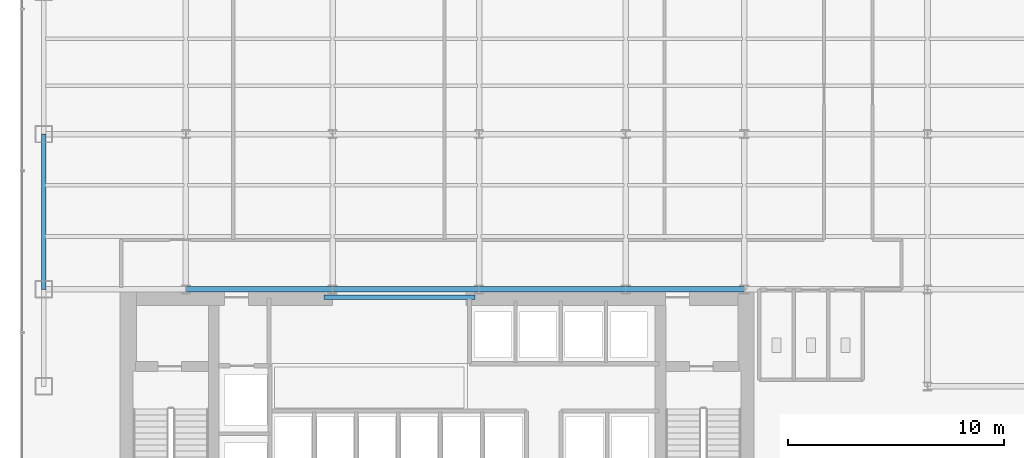
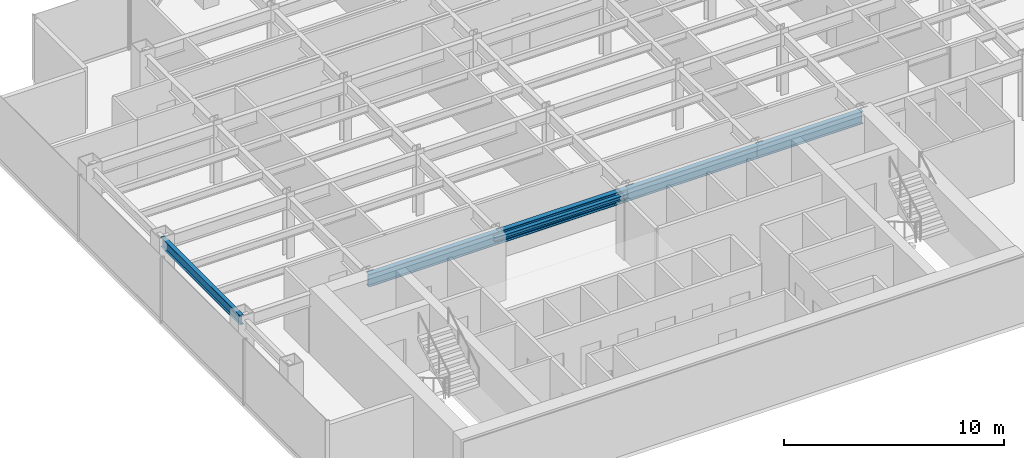
# One storey, part 3 of 26: 6 beams.
"""IFC4 building model written with IfcOpenShell, lengths in metres."""

from ifc_helpers import new_model, si_unit, derived_unit, direction, frame, origin, origin_2d, place, context, subcontext, project, spatial, i_section, extrude, source, transform, mapped, material, material_profile, profile_set, type_object, element, save


model = new_model("IFC4")

# Units and contexts
model_context = context("Model", 3, precision=1e-05, world=origin(), true_north=direction((0.0, 1.0)))
body_context = subcontext(model_context, "Body", "Model", "MODEL_VIEW")
ifc_project = project(units=[si_unit("LENGTHUNIT", "METRE"), si_unit("AREAUNIT", "SQUARE_METRE"), si_unit("VOLUMEUNIT", "CUBIC_METRE"), si_unit("PLANEANGLEUNIT", "RADIAN"), si_unit("MASSUNIT", "GRAM", prefix="KILO"), derived_unit("THERMALTRANSMITTANCEUNIT", [(si_unit("POWERUNIT", "WATT"), 1), (si_unit("LENGTHUNIT", "METRE"), -2), (si_unit("THERMODYNAMICTEMPERATUREUNIT", "KELVIN"), -1)])], contexts=[model_context])

# Site, building, storey
site_placement = place(None, origin())
site = spatial("IfcSite", under=ifc_project, at=site_placement, CompositionType="ELEMENT")
building_placement = place(site_placement, origin())
building = spatial("IfcBuilding", under=site, at=building_placement, Name="Skarnbrae Concourse Arena and Tower", CompositionType="ELEMENT")
storey_placement = place(building_placement, frame((0.0, 0.0, 103.25)))
storey = spatial("IfcBuildingStorey", under=building, at=storey_placement, Name="L25", CompositionType="ELEMENT", Elevation=103.25)

# Beams
ifc_material = material(Name="Steel CSA G40.21 350W", Category="steel")
ifc_material_profile_1 = material_profile(ifc_material, i_section(OverallWidth=0.202880859375, OverallDepth=0.251953125, WebThickness=0.008056640625, FlangeThickness=0.013427734375, at=origin_2d()), Name="W250X58")
ifc_profile_set_1 = profile_set([ifc_material_profile_1], Name="Steel CSA G40.21 350W")
beam_type_1 = type_object("IfcBeamType", Name="BM-LINTEL-W250X58", PredefinedType="LINTEL", material=ifc_profile_set_1)
shared_shape_1 = source(origin(), body_context, "Body", "SweptSolid", [
    extrude(i_section(OverallWidth=0.202880859375, OverallDepth=0.251953125, WebThickness=0.008056640625, FlangeThickness=0.013427734375, at=origin_2d()), origin(), (0.0, 0.0, 1.0), 7.0),
])
beam_1_placement = place(storey_placement, frame((14.0, 13.625, 3.27392578125), z_axis=(1.0, 0.0, 0.0), x_axis=(0.0, 1.0, 0.0)))
element("IfcBeam", 1, at=beam_1_placement, inside=storey, type_object=beam_type_1, Name="L25 Core portal coupling lintel", PredefinedType="LINTEL", context=body_context, shape_type="MappedRepresentation", body=[
    mapped(shared_shape_1, transform((0.0, 0.0, 0.0))),
])
ifc_material_profile_2 = material_profile(ifc_material, i_section(OverallWidth=0.256103515625, OverallDepth=0.693115234375, WebThickness=0.014404296875, FlangeThickness=0.023681640625, at=origin_2d()), Name="W690X170")
ifc_profile_set_2 = profile_set([ifc_material_profile_2], Name="Steel CSA G40.21 350W")
beam_type_2 = type_object("IfcBeamType", Name="BM-GIRD-W690X170", PredefinedType="BEAM", material=ifc_profile_set_2)
shared_shape_2 = source(origin(), body_context, "Body", "SweptSolid", [
    extrude(i_section(OverallWidth=0.256103515625, OverallDepth=0.693115234375, WebThickness=0.014404296875, FlangeThickness=0.023681640625, at=origin_2d()), origin(), (0.0, 0.0, 1.0), 6.7998046875),
])
beam_2_placement = place(storey_placement, frame((7.60009765625, 14.0, 3.053466796875), z_axis=(1.0, 0.0, 0.0), x_axis=(0.0, 1.0, 0.0)))
element("IfcBeam", 2, at=beam_2_placement, inside=storey, type_object=beam_type_2, Name="L25 Primary E-W girder Y14.0-2", PredefinedType="BEAM", context=body_context, shape_type="MappedRepresentation", body=[
    mapped(shared_shape_2, transform((0.0, 0.0, 0.0))),
])
shared_shape_3 = source(origin(), body_context, "Body", "SweptSolid", [
    extrude(i_section(OverallWidth=0.256103515625, OverallDepth=0.693115234375, WebThickness=0.014404296875, FlangeThickness=0.023681640625, at=origin_2d()), origin(), (0.0, 0.0, 1.0), 6.800048828125),
])
for number, where, z_axis, x_axis, name in (
    (3, (14.39990234375, 14.0, 3.053466796875), (1.0, 0.0, 0.0), (0.0, 1.0, 0.0), "L25 Primary E-W girder Y14.0-3"),
    (4, (21.199951171875, 14.0, 3.053466796875), (1.0, 0.0, 0.0), (0.0, 1.0, 0.0), "L25 Primary E-W girder Y14.0-4"),
):
    element("IfcBeam", number, at=place(storey_placement, frame(where, z_axis=z_axis, x_axis=x_axis)), inside=storey, type_object=beam_type_2, Name=name, PredefinedType="BEAM", context=body_context, shape_type="MappedRepresentation", body=[
        mapped(shared_shape_3, transform((0.0, 0.0, 0.0))),
    ])
shared_shape_4 = source(origin(), body_context, "Body", "SweptSolid", [
    extrude(i_section(OverallWidth=0.256103515625, OverallDepth=0.693115234375, WebThickness=0.014404296875, FlangeThickness=0.023681640625, at=origin_2d()), origin(), (0.0, 0.0, 1.0), 5.5),
])
beam_3_placement = place(storey_placement, frame((28.0, 14.0, 3.053466796875), z_axis=(1.0, 0.0, 0.0), x_axis=(0.0, 1.0, 0.0)))
element("IfcBeam", 5, at=beam_3_placement, inside=storey, type_object=beam_type_2, Name="L25 Primary E-W girder Y14.0-5", PredefinedType="BEAM", context=body_context, shape_type="MappedRepresentation", body=[
    mapped(shared_shape_4, transform((0.0, 0.0, 0.0))),
])
ifc_material_profile_3 = material_profile(ifc_material, i_section(OverallWidth=0.208984375, OverallDepth=0.532958984375, WebThickness=0.01025390625, FlangeThickness=0.015625, at=origin_2d()), Name="W530X92")
ifc_profile_set_3 = profile_set([ifc_material_profile_3], Name="Steel CSA G40.21 350W")
beam_type_3 = type_object("IfcBeamType", Name="BM-SPAN-W530X92", PredefinedType="SPANDREL", material=ifc_profile_set_3)
shared_shape_5 = source(origin(), body_context, "Body", "SweptSolid", [
    extrude(i_section(OverallWidth=0.208984375, OverallDepth=0.532958984375, WebThickness=0.01025390625, FlangeThickness=0.015625, at=origin_2d()), origin(), (0.0, 0.0, 1.0), 7.199951171875),
])
beam_4_placement = place(storey_placement, frame((1.0, 14.0, 3.133544921875), z_axis=(0.0, 1.0, 0.0), x_axis=(-1.0, 0.0, 0.0)))
element("IfcBeam", 6, at=beam_4_placement, inside=storey, type_object=beam_type_3, Name="L25 Perimeter spandrel X1.0-2", PredefinedType="SPANDREL", context=body_context, shape_type="MappedRepresentation", body=[
    mapped(shared_shape_5, transform((0.0, 0.0, 0.0))),
])

save(model, "model.ifc")
